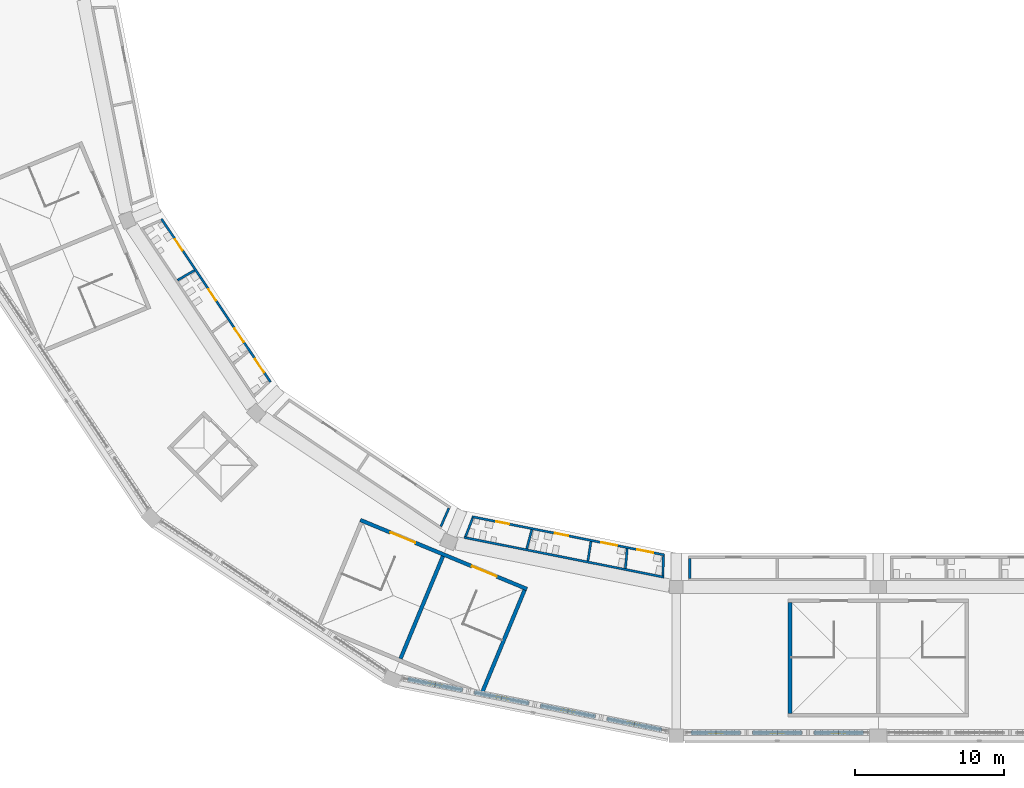
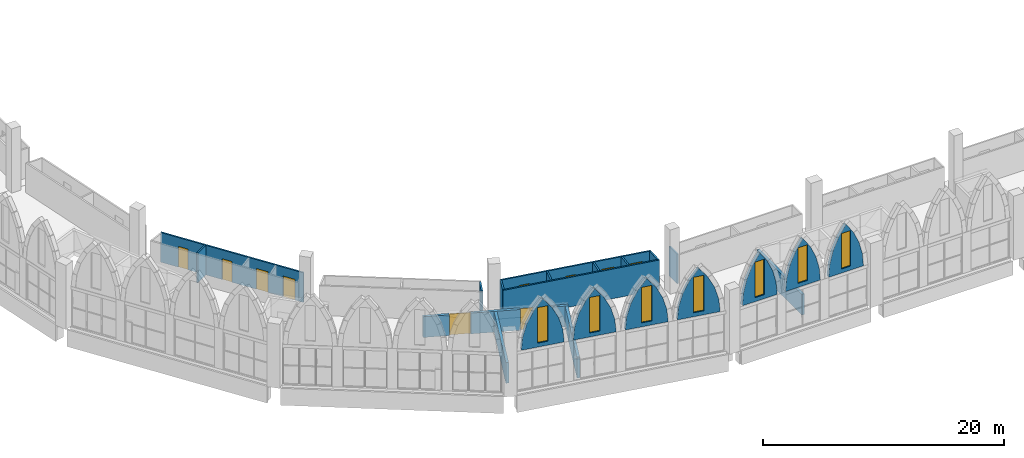
# One storey, part 64 of 130: 22 walls, 10 doors, 7 windows, 17 openings.
"""IFC4 building model written with IfcOpenShell, lengths in metres."""

from ifc_helpers import new_model, si_unit, direction, frame, frame_2d, origin, place, context, subcontext, project, spatial, polyline, rectangle, outline, extrude, material, layer, layer_set, type_object, element, fill, save


model = new_model("IFC4")

# Units and contexts
model_context = context("Model", 3, precision=1e-05, world=origin(), true_north=direction((0.0, 1.0)))
body_context = subcontext(model_context, "Body", "Model", "MODEL_VIEW")
ifc_project = project(units=[si_unit("LENGTHUNIT", "METRE"), si_unit("AREAUNIT", "SQUARE_METRE"), si_unit("VOLUMEUNIT", "CUBIC_METRE"), si_unit("PLANEANGLEUNIT", "RADIAN"), si_unit("MASSUNIT", "GRAM", prefix="KILO")], contexts=[model_context])

# Site, building, storey
site_placement = place(None, origin())
site = spatial("IfcSite", under=ifc_project, at=site_placement, CompositionType="ELEMENT")
building_placement = place(site_placement, origin())
building = spatial("IfcBuilding", under=site, at=building_placement, Name="Ogive Plaza Stadium", CompositionType="ELEMENT")
storey_placement = place(building_placement, frame((0.0, 0.0, 22.5)))
storey = spatial("IfcBuildingStorey", under=building, at=storey_placement, Name="L05", CompositionType="ELEMENT", Elevation=22.5)

# Walls
ifc_material_1 = material(Name="Masonry blockwork", Category="masonry")
ifc_layer_1 = layer(ifc_material_1, 0.14990234375)
ifc_layer_set_1 = layer_set([ifc_layer_1], Name="Blockwork wall 150")
wall_type_1 = type_object("IfcWallType", Name="Blockwork wall 150", PredefinedType="SOLIDWALL", material=ifc_layer_set_1)
wall_1_placement = place(storey_placement, frame((-33.10009765625, -90.574951171875, 0.0), z_axis=(0.0, 0.0, 1.0), x_axis=(0.0, -1.0, 0.0)))
element("IfcWall", 1, at=wall_1_placement, inside=storey, type_object=wall_type_1, Name="Wall L05 B16", PredefinedType="SOLIDWALL", context=body_context, shape_type="SweptSolid", body=[
    extrude(rectangle(XDim=1.35009765625, YDim=0.14990234375, at=frame_2d((0.675048828125, 0.0))), origin(), (0.0, 0.0, 1.0), 3.0),
])
wall_2_placement = place(storey_placement, frame((-49.305908203125, -87.185302734375, 0.0), z_axis=(0.0, 0.0, 1.0), x_axis=(-0.403693857048, -0.914894130368, 0.0)))
element("IfcWall", 2, at=wall_2_placement, inside=storey, type_object=wall_type_1, Name="Wall L05 B18", PredefinedType="SOLIDWALL", context=body_context, shape_type="SweptSolid", body=[
    extrude(rectangle(XDim=1.344482421875, YDim=0.14990234375, at=frame_2d((0.67236328125, 0.0))), origin(), (0.0, 0.0, 1.0), 3.0),
])
ifc_material_2 = material(Name="Concrete C40/50", Category="concrete")
ifc_layer_2 = layer(ifc_material_2, 0.25)
ifc_layer_set_2 = layer_set([ifc_layer_2], Name="Concrete C40/50")
wall_type_2 = type_object("IfcWallType", Name="Core wall 250", PredefinedType="SHEAR", material=ifc_layer_set_2)
wall_3_placement = place(storey_placement, frame((-26.35009765625, -93.550048828125, 0.0), z_axis=(0.0, 0.0, 1.0), x_axis=(0.0, -1.0, 0.0)))
element("IfcWall", 3, at=wall_3_placement, inside=storey, type_object=wall_type_2, Name="Stair core R16 side wall", PredefinedType="SHEAR", context=body_context, shape_type="SweptSolid", body=[
    extrude(rectangle(XDim=7.4599609375, YDim=0.25, at=frame_2d((3.72998046875, 0.0))), origin(), (0.0, 0.0, 1.0), 2.10009765625),
])

# Wall, openings, doors
wall_4_placement = place(storey_placement, frame((-55.27392578125, -87.98486328125, 0.0), z_axis=(0.0, 0.0, 1.0), x_axis=(0.923877480578, -0.382688386133, 0.0)))
wall_4 = element("IfcWall", 4, at=wall_4_placement, inside=storey, type_object=wall_type_2, Name="Stair core R18 inner wall", PredefinedType="SHEAR", context=body_context, shape_type="SweptSolid", body=[
    extrude(rectangle(XDim=12.14990234375, YDim=0.25, at=frame_2d((6.074951171875, 0.0))), origin(), (0.0, 0.0, 1.0), 2.10009765625),
])
opening_1_placement = place(wall_4_placement, frame((2.199951171875, 0.0, 0.0)))
opening_1 = element("IfcOpeningElement", 5, at=opening_1_placement, cuts=wall_4, Name="Opening D0155", PredefinedType="OPENING", context=body_context, shape_type="SweptSolid", body=[
    extrude(rectangle(XDim=1.800048828125, YDim=2.10009765625, at=frame_2d((0.89990234375, 1.050048828125))), frame((0.0, 0.125, 0.0), z_axis=(0.0, -1.0, 0.0), x_axis=(1.0, 0.0, 0.0)), (0.0, 0.0, 1.0), 0.25),
])
opening_2_placement = place(wall_4_placement, frame((8.14990234375, 0.0, 0.0)))
opening_2 = element("IfcOpeningElement", 6, at=opening_2_placement, cuts=wall_4, Name="Opening D0156", PredefinedType="OPENING", context=body_context, shape_type="SweptSolid", body=[
    extrude(rectangle(XDim=1.800048828125, YDim=2.10009765625, at=frame_2d((0.89990234375, 1.050048828125))), frame((0.0, 0.125, 0.0), z_axis=(0.0, -1.0, 0.0), x_axis=(1.0, 0.0, 0.0)), (0.0, 0.0, 1.0), 0.25),
])
ifc_material_3 = material(Name="Steel ASTM A572 Grade 50", Category="steel")
door_type_1 = type_object("IfcDoorType", Name="Fire door FD90 pair 1800 x 2100", OperationType="DOUBLE_DOOR_SINGLE_SWING", PredefinedType="DOOR", material=ifc_material_3)
door_1_placement = place(opening_1_placement, origin())
door_1 = element("IfcDoor", 7, at=door_1_placement, inside=storey, type_object=door_type_1, Name="Exit stair R18A door L05", OperationType="DOUBLE_DOOR_SINGLE_SWING", OverallHeight=2.10009765625, OverallWidth=1.800048828125, PredefinedType="DOOR", context=body_context, shape_type="SweptSolid", body=[
    extrude(rectangle(XDim=1.800048828125, YDim=2.10009765625, at=frame_2d((0.89990234375, 1.050048828125))), frame((0.0, 0.02490234375, 0.0), z_axis=(0.0, -1.0, 0.0), x_axis=(1.0, 0.0, 0.0)), (0.0, 0.0, 1.0), 0.050048828125),
])
fill(opening_1, door_1)
door_2_placement = place(opening_2_placement, origin())
door_2 = element("IfcDoor", 8, at=door_2_placement, inside=storey, type_object=door_type_1, Name="Exit stair R18B door L05", OperationType="DOUBLE_DOOR_SINGLE_SWING", OverallHeight=2.10009765625, OverallWidth=1.800048828125, PredefinedType="DOOR", context=body_context, shape_type="SweptSolid", body=[
    extrude(rectangle(XDim=1.800048828125, YDim=2.10009765625, at=frame_2d((0.89990234375, 1.050048828125))), frame((0.0, 0.02490234375, 0.0), z_axis=(0.0, -1.0, 0.0), x_axis=(1.0, 0.0, 0.0)), (0.0, 0.0, 1.0), 0.050048828125),
])
fill(opening_2, door_2)

# Walls
wall_5_placement = place(storey_placement, frame((-44.212158203125, -92.7021484375, 0.0), z_axis=(0.0, 0.0, 1.0), x_axis=(-0.382664910245, -0.923887204407, 0.0)))
element("IfcWall", 9, at=wall_5_placement, inside=storey, type_object=wall_type_2, Name="Stair core R18 side wall", PredefinedType="SHEAR", context=body_context, shape_type="SweptSolid", body=[
    extrude(rectangle(XDim=7.460205078125, YDim=0.25, at=frame_2d((3.72998046875, 0.0))), origin(), (0.0, 0.0, 1.0), 2.10009765625),
])
wall_6_placement = place(storey_placement, frame((-49.709228515625, -90.42529296875, 0.0), z_axis=(0.0, 0.0, 1.0), x_axis=(-0.382676480483, -0.923882412044, 0.0)))
element("IfcWall", 10, at=wall_6_placement, inside=storey, type_object=wall_type_2, Name="Stair core R18 centre wall", PredefinedType="SHEAR", context=body_context, shape_type="SweptSolid", body=[
    extrude(rectangle(XDim=7.4599609375, YDim=0.25, at=frame_2d((3.72998046875, 0.0))), origin(), (0.0, 0.0, 1.0), 2.10009765625),
])

# Wall, openings, doors
ifc_material_4 = material(Name="Gypsum board partition", Category="gypsum")
ifc_layer_3 = layer(ifc_material_4, 0.14990234375)
ifc_layer_set_3 = layer_set([ifc_layer_3], Name="Partition 150")
wall_type_3 = type_object("IfcWallType", Name="Partition 150", PredefinedType="PARTITIONING", material=ifc_layer_set_3)
wall_7_placement = place(storey_placement, frame((-47.74853515625, -87.76513671875, 0.0), z_axis=(0.0, 0.0, 1.0), x_axis=(0.980782047358, -0.195106574927, 0.0)))
wall_7 = element("IfcWall", 11, at=wall_7_placement, inside=storey, type_object=wall_type_3, Name="Wall L05 B17", PredefinedType="PARTITIONING", context=body_context, shape_type="SweptSolid", body=[
    extrude(rectangle(XDim=13.208984375, YDim=0.14990234375, at=frame_2d((6.6044921875, 0.0))), origin(), (0.0, 0.0, 1.0), 3.0),
])
opening_3_placement = place(wall_7_placement, frame((1.648193359375, 0.0, 0.0)))
opening_3 = element("IfcOpeningElement", 12, at=opening_3_placement, cuts=wall_7, Name="Opening D0965", PredefinedType="OPENING", context=body_context, shape_type="SweptSolid", body=[
    extrude(rectangle(XDim=0.89990234375, YDim=2.10009765625, at=frame_2d((0.449951171875, 1.050048828125))), frame((0.0, 0.074951171875, 0.0), z_axis=(0.0, -1.0, 0.0), x_axis=(1.0, 0.0, 0.0)), (0.0, 0.0, 1.0), 0.14990234375),
])
opening_4_placement = place(wall_7_placement, frame((5.697265625, 0.0, 0.0)))
opening_4 = element("IfcOpeningElement", 13, at=opening_4_placement, cuts=wall_7, Name="Opening D0966", PredefinedType="OPENING", context=body_context, shape_type="SweptSolid", body=[
    extrude(rectangle(XDim=0.89990234375, YDim=2.10009765625, at=frame_2d((0.449951171875, 1.050048828125))), frame((0.0, 0.074951171875, 0.0), z_axis=(0.0, -1.0, 0.0), x_axis=(1.0, 0.0, 0.0)), (0.0, 0.0, 1.0), 0.14990234375),
])
opening_5_placement = place(wall_7_placement, frame((8.862548828125, 0.0, 0.0)))
opening_5 = element("IfcOpeningElement", 14, at=opening_5_placement, cuts=wall_7, Name="Opening D0967", PredefinedType="OPENING", context=body_context, shape_type="SweptSolid", body=[
    extrude(rectangle(XDim=1.10009765625, YDim=2.10009765625, at=frame_2d((0.550048828125, 1.050048828125))), frame((0.0, 0.074951171875, 0.0), z_axis=(0.0, -1.0, 0.0), x_axis=(1.0, 0.0, 0.0)), (0.0, 0.0, 1.0), 0.14990234375),
])
opening_6_placement = place(wall_7_placement, frame((11.344482421875, 0.0, 0.0)))
opening_6 = element("IfcOpeningElement", 15, at=opening_6_placement, cuts=wall_7, Name="Opening D0968", PredefinedType="OPENING", context=body_context, shape_type="SweptSolid", body=[
    extrude(rectangle(XDim=1.10009765625, YDim=2.10009765625, at=frame_2d((0.550048828125, 1.050048828125))), frame((0.0, 0.074951171875, 0.0), z_axis=(0.0, -1.0, 0.0), x_axis=(1.0, 0.0, 0.0)), (0.0, 0.0, 1.0), 0.14990234375),
])
ifc_material_5 = material(Name="Steel ASTM A572 Grade 50", Category="steel")
door_type_2 = type_object("IfcDoorType", Name="Accessible door 1100 x 2100", OperationType="SINGLE_SWING_LEFT", PredefinedType="DOOR", material=ifc_material_5)
door_3_placement = place(opening_5_placement, origin())
door_3 = element("IfcDoor", 16, at=door_3_placement, inside=storey, type_object=door_type_2, Name="Accessible WC B17 door", OperationType="SINGLE_SWING_LEFT", OverallHeight=2.10009765625, OverallWidth=1.10009765625, PredefinedType="DOOR", context=body_context, shape_type="SweptSolid", body=[
    extrude(rectangle(XDim=1.10009765625, YDim=2.10009765625, at=frame_2d((0.550048828125, 1.050048828125))), frame((0.0, 0.02490234375, 0.0), z_axis=(0.0, -1.0, 0.0), x_axis=(1.0, 0.0, 0.0)), (0.0, 0.0, 1.0), 0.050048828125),
])
fill(opening_5, door_3)
door_4_placement = place(opening_6_placement, origin())
door_4 = element("IfcDoor", 17, at=door_4_placement, inside=storey, type_object=door_type_2, Name="Family WC B17 door", OperationType="SINGLE_SWING_LEFT", OverallHeight=2.10009765625, OverallWidth=1.10009765625, PredefinedType="DOOR", context=body_context, shape_type="SweptSolid", body=[
    extrude(rectangle(XDim=1.10009765625, YDim=2.10009765625, at=frame_2d((0.550048828125, 1.050048828125))), frame((0.0, 0.02490234375, 0.0), z_axis=(0.0, -1.0, 0.0), x_axis=(1.0, 0.0, 0.0)), (0.0, 0.0, 1.0), 0.050048828125),
])
fill(opening_6, door_4)
ifc_material_6 = material(Name="Steel ASTM A572 Grade 50", Category="steel")
door_type_3 = type_object("IfcDoorType", Name="Door 900 x 2100", OperationType="SINGLE_SWING_LEFT", PredefinedType="DOOR", material=ifc_material_6)
door_5_placement = place(opening_3_placement, origin())
door_5 = element("IfcDoor", 18, at=door_5_placement, inside=storey, type_object=door_type_3, Name="Men's Toilet B17 door", OperationType="SINGLE_SWING_RIGHT", OverallHeight=2.10009765625, OverallWidth=0.89990234375, PredefinedType="DOOR", context=body_context, shape_type="SweptSolid", body=[
    extrude(rectangle(XDim=0.89990234375, YDim=2.10009765625, at=frame_2d((0.449951171875, 1.050048828125))), frame((0.0, 0.02490234375, 0.0), z_axis=(0.0, -1.0, 0.0), x_axis=(1.0, 0.0, 0.0)), (0.0, 0.0, 1.0), 0.050048828125),
])
fill(opening_3, door_5)
door_6_placement = place(opening_4_placement, origin())
door_6 = element("IfcDoor", 19, at=door_6_placement, inside=storey, type_object=door_type_3, Name="Women's Toilet B17 door", OperationType="SINGLE_SWING_LEFT", OverallHeight=2.10009765625, OverallWidth=0.89990234375, PredefinedType="DOOR", context=body_context, shape_type="SweptSolid", body=[
    extrude(rectangle(XDim=0.89990234375, YDim=2.10009765625, at=frame_2d((0.449951171875, 1.050048828125))), frame((0.0, 0.02490234375, 0.0), z_axis=(0.0, -1.0, 0.0), x_axis=(1.0, 0.0, 0.0)), (0.0, 0.0, 1.0), 0.050048828125),
])
fill(opening_4, door_6)

# Walls
wall_8_placement = place(storey_placement, frame((-48.291259765625, -89.1572265625, 0.0), z_axis=(0.0, 0.0, 1.0), x_axis=(0.980784624689, -0.195093618486, 0.0)))
element("IfcWall", 20, at=wall_8_placement, inside=storey, type_object=wall_type_3, Name="Wall L05 B17", PredefinedType="PARTITIONING", context=body_context, shape_type="SweptSolid", body=[
    extrude(rectangle(XDim=13.73046875, YDim=0.14990234375, at=frame_2d((6.865234375, 0.0))), origin(), (0.0, 0.0, 1.0), 3.0),
])
wall_9_placement = place(storey_placement, frame((-47.703369140625, -87.84912109375, 0.0), z_axis=(0.0, 0.0, 1.0), x_axis=(-0.36141186071, -0.932406277831, 0.0)))
element("IfcWall", 21, at=wall_9_placement, inside=storey, type_object=wall_type_3, Name="Wall L05 B17", PredefinedType="PARTITIONING", context=body_context, shape_type="SweptSolid", body=[
    extrude(rectangle(XDim=1.34423828125, YDim=0.14990234375, at=frame_2d((0.672119140625, 0.0))), origin(), (0.0, 0.0, 1.0), 3.0),
])
wall_10_placement = place(storey_placement, frame((-43.72412109375, -88.640625, 0.0), z_axis=(0.0, 0.0, 1.0), x_axis=(-0.259768941127, -0.965670801684, 0.0)))
element("IfcWall", 22, at=wall_10_placement, inside=storey, type_object=wall_type_3, Name="Wall L05 B17", PredefinedType="PARTITIONING", context=body_context, shape_type="SweptSolid", body=[
    extrude(rectangle(XDim=1.3271484375, YDim=0.14990234375, at=frame_2d((0.66357421875, 0.0))), origin(), (0.0, 0.0, 1.0), 3.0),
])
wall_11_placement = place(storey_placement, frame((-39.7451171875, -89.43212890625, 0.0), z_axis=(0.0, 0.0, 1.0), x_axis=(-0.153635060885, -0.988127657779, 0.0)))
element("IfcWall", 23, at=wall_11_placement, inside=storey, type_object=wall_type_3, Name="Wall L05 B17", PredefinedType="PARTITIONING", context=body_context, shape_type="SweptSolid", body=[
    extrude(rectangle(XDim=1.3251953125, YDim=0.14990234375, at=frame_2d((0.66259765625, 0.0))), origin(), (0.0, 0.0, 1.0), 3.0),
])
wall_12_placement = place(storey_placement, frame((-37.30615234375, -89.91748046875, 0.0), z_axis=(0.0, 0.0, 1.0), x_axis=(-0.087990108073, -0.996121348472, 0.0)))
element("IfcWall", 24, at=wall_12_placement, inside=storey, type_object=wall_type_3, Name="Wall L05 B17", PredefinedType="PARTITIONING", context=body_context, shape_type="SweptSolid", body=[
    extrude(rectangle(XDim=1.331787109375, YDim=0.14990234375, at=frame_2d((0.666015625, 0.0))), origin(), (0.0, 0.0, 1.0), 3.0),
])
wall_13_placement = place(storey_placement, frame((-34.867431640625, -90.402587890625, 0.0), z_axis=(0.0, 0.0, 1.0), x_axis=(-0.022886445666, -0.999738070999, 0.0)))
element("IfcWall", 25, at=wall_13_placement, inside=storey, type_object=wall_type_3, Name="Wall L05 B17", PredefinedType="PARTITIONING", context=body_context, shape_type="SweptSolid", body=[
    extrude(rectangle(XDim=1.343994140625, YDim=0.14990234375, at=frame_2d((0.671875, 0.0))), origin(), (0.0, 0.0, 1.0), 3.0),
])

# Wall, openings, doors
wall_14_placement = place(storey_placement, frame((-68.657958984375, -67.714599609375, 0.0), z_axis=(0.0, 0.0, 1.0), x_axis=(0.555570028225, -0.831469749142, 0.0)))
wall_14 = element("IfcWall", 26, at=wall_14_placement, inside=storey, type_object=wall_type_3, Name="Wall L05 B19", PredefinedType="PARTITIONING", context=body_context, shape_type="SweptSolid", body=[
    extrude(rectangle(XDim=13.208740234375, YDim=0.14990234375, at=frame_2d((6.6044921875, 0.0))), origin(), (0.0, 0.0, 1.0), 3.0),
])
opening_7_placement = place(wall_14_placement, frame((1.648193359375, 0.0, 0.0)))
opening_7 = element("IfcOpeningElement", 27, at=opening_7_placement, cuts=wall_14, Name="Opening D0971", PredefinedType="OPENING", context=body_context, shape_type="SweptSolid", body=[
    extrude(rectangle(XDim=0.89990234375, YDim=2.10009765625, at=frame_2d((0.449951171875, 1.050048828125))), frame((0.0, 0.074951171875, 0.0), z_axis=(0.0, -1.0, 0.0), x_axis=(1.0, 0.0, 0.0)), (0.0, 0.0, 1.0), 0.14990234375),
])
opening_8_placement = place(wall_14_placement, frame((5.697265625, 0.0, 0.0)))
opening_8 = element("IfcOpeningElement", 28, at=opening_8_placement, cuts=wall_14, Name="Opening D0972", PredefinedType="OPENING", context=body_context, shape_type="SweptSolid", body=[
    extrude(rectangle(XDim=0.89990234375, YDim=2.10009765625, at=frame_2d((0.449951171875, 1.050048828125))), frame((0.0, 0.074951171875, 0.0), z_axis=(0.0, -1.0, 0.0), x_axis=(1.0, 0.0, 0.0)), (0.0, 0.0, 1.0), 0.14990234375),
])
opening_9_placement = place(wall_14_placement, frame((8.862548828125, 0.0, 0.0)))
opening_9 = element("IfcOpeningElement", 29, at=opening_9_placement, cuts=wall_14, Name="Opening D0973", PredefinedType="OPENING", context=body_context, shape_type="SweptSolid", body=[
    extrude(rectangle(XDim=1.10009765625, YDim=2.10009765625, at=frame_2d((0.550048828125, 1.050048828125))), frame((0.0, 0.074951171875, 0.0), z_axis=(0.0, -1.0, 0.0), x_axis=(1.0, 0.0, 0.0)), (0.0, 0.0, 1.0), 0.14990234375),
])
opening_10_placement = place(wall_14_placement, frame((11.344482421875, 0.0, 0.0)))
opening_10 = element("IfcOpeningElement", 30, at=opening_10_placement, cuts=wall_14, Name="Opening D0974", PredefinedType="OPENING", context=body_context, shape_type="SweptSolid", body=[
    extrude(rectangle(XDim=1.10009765625, YDim=2.10009765625, at=frame_2d((0.550048828125, 1.050048828125))), frame((0.0, 0.074951171875, 0.0), z_axis=(0.0, -1.0, 0.0), x_axis=(1.0, 0.0, 0.0)), (0.0, 0.0, 1.0), 0.14990234375),
])
door_7_placement = place(opening_9_placement, origin())
door_7 = element("IfcDoor", 31, at=door_7_placement, inside=storey, type_object=door_type_2, Name="Accessible WC B19 door", OperationType="SINGLE_SWING_LEFT", OverallHeight=2.10009765625, OverallWidth=1.10009765625, PredefinedType="DOOR", context=body_context, shape_type="SweptSolid", body=[
    extrude(rectangle(XDim=1.10009765625, YDim=2.10009765625, at=frame_2d((0.550048828125, 1.050048828125))), frame((0.0, 0.02490234375, 0.0), z_axis=(0.0, -1.0, 0.0), x_axis=(1.0, 0.0, 0.0)), (0.0, 0.0, 1.0), 0.050048828125),
])
fill(opening_9, door_7)
door_8_placement = place(opening_10_placement, origin())
door_8 = element("IfcDoor", 32, at=door_8_placement, inside=storey, type_object=door_type_2, Name="Family WC B19 door", OperationType="SINGLE_SWING_LEFT", OverallHeight=2.10009765625, OverallWidth=1.10009765625, PredefinedType="DOOR", context=body_context, shape_type="SweptSolid", body=[
    extrude(rectangle(XDim=1.10009765625, YDim=2.10009765625, at=frame_2d((0.550048828125, 1.050048828125))), frame((0.0, 0.02490234375, 0.0), z_axis=(0.0, -1.0, 0.0), x_axis=(1.0, 0.0, 0.0)), (0.0, 0.0, 1.0), 0.050048828125),
])
fill(opening_10, door_8)
door_9_placement = place(opening_7_placement, origin())
door_9 = element("IfcDoor", 33, at=door_9_placement, inside=storey, type_object=door_type_3, Name="Men's Toilet B19 door", OperationType="SINGLE_SWING_RIGHT", OverallHeight=2.10009765625, OverallWidth=0.89990234375, PredefinedType="DOOR", context=body_context, shape_type="SweptSolid", body=[
    extrude(rectangle(XDim=0.89990234375, YDim=2.10009765625, at=frame_2d((0.449951171875, 1.050048828125))), frame((0.0, 0.02490234375, 0.0), z_axis=(0.0, -1.0, 0.0), x_axis=(1.0, 0.0, 0.0)), (0.0, 0.0, 1.0), 0.050048828125),
])
fill(opening_7, door_9)
door_10_placement = place(opening_8_placement, origin())
door_10 = element("IfcDoor", 34, at=door_10_placement, inside=storey, type_object=door_type_3, Name="Women's Toilet B19 door", OperationType="SINGLE_SWING_LEFT", OverallHeight=2.10009765625, OverallWidth=0.89990234375, PredefinedType="DOOR", context=body_context, shape_type="SweptSolid", body=[
    extrude(rectangle(XDim=0.89990234375, YDim=2.10009765625, at=frame_2d((0.449951171875, 1.050048828125))), frame((0.0, 0.02490234375, 0.0), z_axis=(0.0, -1.0, 0.0), x_axis=(1.0, 0.0, 0.0)), (0.0, 0.0, 1.0), 0.050048828125),
])
fill(opening_8, door_10)

# Wall
wall_15_placement = place(storey_placement, frame((-66.431396484375, -71.179443359375, 0.0), z_axis=(0.0, 0.0, 1.0), x_axis=(-0.866607990837, -0.498989569246, 0.0)))
element("IfcWall", 35, at=wall_15_placement, inside=storey, type_object=wall_type_3, Name="Wall L05 B19", PredefinedType="PARTITIONING", context=body_context, shape_type="SweptSolid", body=[
    extrude(rectangle(XDim=1.326904296875, YDim=0.14990234375, at=frame_2d((0.66357421875, 0.0))), origin(), (0.0, 0.0, 1.0), 3.0),
])

# Wall, opening, window
ifc_material_7 = material(Name="Concrete C45/55 precast", Category="concrete")
ifc_layer_4 = layer(ifc_material_7, 0.25)
ifc_material_8 = material(Name="Cast stone (reconstituted limestone)", Category="masonry")
ifc_layer_5 = layer(ifc_material_8, 0.050048828125)
ifc_layer_set_4 = layer_set([ifc_layer_4, ifc_layer_5], Name="Concrete C45/55 precast, cast stone facing")
wall_type_4 = type_object("IfcWallType", Name="Tympanum wall 300", PredefinedType="SOLIDWALL", material=ifc_layer_set_4)
wall_16_placement = place(storey_placement, frame((-21.39990234375, -102.300048828125, 4.10009765625), z_axis=(0.0, 0.0, 1.0), x_axis=(-1.0, 0.0, 0.0)))
wall_16 = element("IfcWall", 36, at=wall_16_placement, inside=storey, type_object=wall_type_4, Name="TYMPANUM B16 1", PredefinedType="SOLIDWALL", context=body_context, shape_type="SweptSolid", body=[
    extrude(outline(polyline([(0.0, 0.0), (3.33349609375, 0.0), (3.333251953125, 0.0498046875), (3.225341796875, 1.2880859375), (2.90478515625, 2.54052734375), (2.38037109375, 3.721923828125), (1.666748046875, 4.7998046875), (0.952880859375, 3.721923828125), (0.428466796875, 2.54052734375), (0.10791015625, 1.2880859375), (0.0, 0.0498046875), (0.0, 0.0)])), frame((0.0, 0.14990234375, 0.0), z_axis=(0.0, -1.0, 0.0), x_axis=(1.0, 0.0, 0.0)), (0.0, 0.0, 1.0), 0.300048828125),
])
opening_11_placement = place(wall_16_placement, frame((1.216552734375, 0.0, 0.39990234375)))
opening_11 = element("IfcOpeningElement", 37, at=opening_11_placement, cuts=wall_16, Name="Opening W-16-1", PredefinedType="OPENING", context=body_context, shape_type="SweptSolid", body=[
    extrude(rectangle(XDim=0.89990234375, YDim=3.60009765625, at=frame_2d((0.449951171875, 1.800048828125))), frame((0.0, 0.16015625, 0.0), z_axis=(0.0, -1.0, 0.0), x_axis=(1.0, 0.0, 0.0)), (0.0, 0.0, 1.0), 0.320068359375),
])
ifc_material_9 = material(Name="Bronze-anodised aluminium and laminated glass", Category="aluminium")
window_type = type_object("IfcWindowType", Name="Lancet window 900 x 3600", PartitioningType="SINGLE_PANEL", PredefinedType="WINDOW", material=ifc_material_9)
window_1_placement = place(opening_11_placement, origin())
window_1 = element("IfcWindow", 38, at=window_1_placement, inside=storey, type_object=window_type, Name="LANCET WINDOW B16 1", OverallHeight=3.60009765625, OverallWidth=0.89990234375, PartitioningType="SINGLE_PANEL", PredefinedType="WINDOW", context=body_context, shape_type="SweptSolid", body=[
    extrude(rectangle(XDim=0.89990234375, YDim=3.60009765625, at=frame_2d((0.449951171875, 1.800048828125))), frame((0.0, 0.030029296875, 0.0), z_axis=(0.0, -1.0, 0.0), x_axis=(1.0, 0.0, 0.0)), (0.0, 0.0, 1.0), 0.06005859375),
])
fill(opening_11, window_1)

wall_17_placement = place(storey_placement, frame((-25.533447265625, -102.300048828125, 4.10009765625), z_axis=(0.0, 0.0, 1.0), x_axis=(-1.0, 0.0, 0.0)))
wall_17 = element("IfcWall", 39, at=wall_17_placement, inside=storey, type_object=wall_type_4, Name="TYMPANUM B16 2", PredefinedType="SOLIDWALL", context=body_context, shape_type="SweptSolid", body=[
    extrude(outline(polyline([(0.0, 0.0), (3.333251953125, 0.0), (3.333251953125, 0.0498046875), (3.225341796875, 1.2880859375), (2.90478515625, 2.54052734375), (2.38037109375, 3.721923828125), (1.666748046875, 4.7998046875), (0.952880859375, 3.721923828125), (0.428466796875, 2.54052734375), (0.10791015625, 1.2880859375), (0.0, 0.0498046875), (0.0, 0.0)])), frame((0.0, 0.14990234375, 0.0), z_axis=(0.0, -1.0, 0.0), x_axis=(1.0, 0.0, 0.0)), (0.0, 0.0, 1.0), 0.300048828125),
])
opening_12_placement = place(wall_17_placement, frame((1.216552734375, 0.0, 0.39990234375)))
opening_12 = element("IfcOpeningElement", 40, at=opening_12_placement, cuts=wall_17, Name="Opening W-16-2", PredefinedType="OPENING", context=body_context, shape_type="SweptSolid", body=[
    extrude(rectangle(XDim=0.89990234375, YDim=3.60009765625, at=frame_2d((0.449951171875, 1.800048828125))), frame((0.0, 0.16015625, 0.0), z_axis=(0.0, -1.0, 0.0), x_axis=(1.0, 0.0, 0.0)), (0.0, 0.0, 1.0), 0.320068359375),
])
window_2_placement = place(opening_12_placement, origin())
window_2 = element("IfcWindow", 41, at=window_2_placement, inside=storey, type_object=window_type, Name="LANCET WINDOW B16 2", OverallHeight=3.60009765625, OverallWidth=0.89990234375, PartitioningType="SINGLE_PANEL", PredefinedType="WINDOW", context=body_context, shape_type="SweptSolid", body=[
    extrude(rectangle(XDim=0.89990234375, YDim=3.60009765625, at=frame_2d((0.449951171875, 1.800048828125))), frame((0.0, 0.030029296875, 0.0), z_axis=(0.0, -1.0, 0.0), x_axis=(1.0, 0.0, 0.0)), (0.0, 0.0, 1.0), 0.06005859375),
])
fill(opening_12, window_2)

wall_18_placement = place(storey_placement, frame((-29.666748046875, -102.300048828125, 4.10009765625), z_axis=(0.0, 0.0, 1.0), x_axis=(-1.0, 0.0, 0.0)))
wall_18 = element("IfcWall", 42, at=wall_18_placement, inside=storey, type_object=wall_type_4, Name="TYMPANUM B16 3", PredefinedType="SOLIDWALL", context=body_context, shape_type="SweptSolid", body=[
    extrude(outline(polyline([(0.0, 0.0), (3.333251953125, 0.0), (3.333251953125, 0.0498046875), (3.225341796875, 1.2880859375), (2.90478515625, 2.54052734375), (2.38037109375, 3.721923828125), (1.666748046875, 4.7998046875), (0.952880859375, 3.721923828125), (0.428466796875, 2.54052734375), (0.10791015625, 1.2880859375), (0.0, 0.0498046875), (0.0, 0.0)])), frame((0.0, 0.14990234375, 0.0), z_axis=(0.0, -1.0, 0.0), x_axis=(1.0, 0.0, 0.0)), (0.0, 0.0, 1.0), 0.300048828125),
])
opening_13_placement = place(wall_18_placement, frame((1.216552734375, 0.0, 0.39990234375)))
opening_13 = element("IfcOpeningElement", 43, at=opening_13_placement, cuts=wall_18, Name="Opening W-16-3", PredefinedType="OPENING", context=body_context, shape_type="SweptSolid", body=[
    extrude(rectangle(XDim=0.89990234375, YDim=3.60009765625, at=frame_2d((0.449951171875, 1.800048828125))), frame((0.0, 0.16015625, 0.0), z_axis=(0.0, -1.0, 0.0), x_axis=(1.0, 0.0, 0.0)), (0.0, 0.0, 1.0), 0.320068359375),
])
window_3_placement = place(opening_13_placement, origin())
window_3 = element("IfcWindow", 44, at=window_3_placement, inside=storey, type_object=window_type, Name="LANCET WINDOW B16 3", OverallHeight=3.60009765625, OverallWidth=0.89990234375, PartitioningType="SINGLE_PANEL", PredefinedType="WINDOW", context=body_context, shape_type="SweptSolid", body=[
    extrude(rectangle(XDim=0.89990234375, YDim=3.60009765625, at=frame_2d((0.449951171875, 1.800048828125))), frame((0.0, 0.030029296875, 0.0), z_axis=(0.0, -1.0, 0.0), x_axis=(1.0, 0.0, 0.0)), (0.0, 0.0, 1.0), 0.06005859375),
])
fill(opening_13, window_3)

wall_19_placement = place(storey_placement, frame((-34.9814453125, -102.100830078125, 4.10009765625), z_axis=(0.0, 0.0, 1.0), x_axis=(-0.980787572669, 0.195078797665, 0.0)))
wall_19 = element("IfcWall", 45, at=wall_19_placement, inside=storey, type_object=wall_type_4, Name="TYMPANUM B17 1", PredefinedType="SOLIDWALL", context=body_context, shape_type="SweptSolid", body=[
    extrude(outline(polyline([(0.0, 0.0), (3.757080078125, 0.0), (3.757080078125, 0.0498046875), (3.634521484375, 1.311279296875), (3.270751953125, 2.5771484375), (2.678466796875, 3.753662109375), (1.878662109375, 4.7998046875), (1.07861328125, 3.753662109375), (0.486328125, 2.5771484375), (0.12255859375, 1.311279296875), (0.0, 0.0498046875), (0.0, 0.0)])), frame((0.0, 0.14990234375, 0.0), z_axis=(0.0, -1.0, 0.0), x_axis=(1.0, 0.0, 0.0)), (0.0, 0.0, 1.0), 0.300048828125),
])
opening_14_placement = place(wall_19_placement, frame((1.428466796875, 0.0, 0.39990234375)))
opening_14 = element("IfcOpeningElement", 46, at=opening_14_placement, cuts=wall_19, Name="Opening W-17-1", PredefinedType="OPENING", context=body_context, shape_type="SweptSolid", body=[
    extrude(rectangle(XDim=0.89990234375, YDim=3.60009765625, at=frame_2d((0.449951171875, 1.800048828125))), frame((0.0, 0.16015625, 0.0), z_axis=(0.0, -1.0, 0.0), x_axis=(1.0, 0.0, 0.0)), (0.0, 0.0, 1.0), 0.320068359375),
])
window_4_placement = place(opening_14_placement, origin())
window_4 = element("IfcWindow", 47, at=window_4_placement, inside=storey, type_object=window_type, Name="LANCET WINDOW B17 1", OverallHeight=3.60009765625, OverallWidth=0.89990234375, PartitioningType="SINGLE_PANEL", PredefinedType="WINDOW", context=body_context, shape_type="SweptSolid", body=[
    extrude(rectangle(XDim=0.89990234375, YDim=3.60009765625, at=frame_2d((0.449951171875, 1.800048828125))), frame((0.0, 0.030029296875, 0.0), z_axis=(0.0, -1.0, 0.0), x_axis=(1.0, 0.0, 0.0)), (0.0, 0.0, 1.0), 0.06005859375),
])
fill(opening_14, window_4)

wall_20_placement = place(storey_placement, frame((-39.450927734375, -101.2119140625, 4.10009765625), z_axis=(0.0, 0.0, 1.0), x_axis=(-0.980775137592, 0.195141306446, 0.0)))
wall_20 = element("IfcWall", 48, at=wall_20_placement, inside=storey, type_object=wall_type_4, Name="TYMPANUM B17 2", PredefinedType="SOLIDWALL", context=body_context, shape_type="SweptSolid", body=[
    extrude(outline(polyline([(0.0, 0.0), (3.757080078125, 0.0), (3.757080078125, 0.0498046875), (3.634521484375, 1.311279296875), (3.270751953125, 2.5771484375), (2.678466796875, 3.753662109375), (1.878662109375, 4.7998046875), (1.07861328125, 3.753662109375), (0.486328125, 2.5771484375), (0.12255859375, 1.311279296875), (0.0, 0.0498046875), (0.0, 0.0)])), frame((0.0, 0.14990234375, 0.0), z_axis=(0.0, -1.0, 0.0), x_axis=(1.0, 0.0, 0.0)), (0.0, 0.0, 1.0), 0.300048828125),
])
opening_15_placement = place(wall_20_placement, frame((1.428466796875, 0.0, 0.39990234375)))
opening_15 = element("IfcOpeningElement", 49, at=opening_15_placement, cuts=wall_20, Name="Opening W-17-2", PredefinedType="OPENING", context=body_context, shape_type="SweptSolid", body=[
    extrude(rectangle(XDim=0.89990234375, YDim=3.60009765625, at=frame_2d((0.449951171875, 1.800048828125))), frame((0.0, 0.16015625, 0.0), z_axis=(0.0, -1.0, 0.0), x_axis=(1.0, 0.0, 0.0)), (0.0, 0.0, 1.0), 0.320068359375),
])
window_5_placement = place(opening_15_placement, origin())
window_5 = element("IfcWindow", 50, at=window_5_placement, inside=storey, type_object=window_type, Name="LANCET WINDOW B17 2", OverallHeight=3.60009765625, OverallWidth=0.89990234375, PartitioningType="SINGLE_PANEL", PredefinedType="WINDOW", context=body_context, shape_type="SweptSolid", body=[
    extrude(rectangle(XDim=0.89990234375, YDim=3.60009765625, at=frame_2d((0.449951171875, 1.800048828125))), frame((0.0, 0.030029296875, 0.0), z_axis=(0.0, -1.0, 0.0), x_axis=(1.0, 0.0, 0.0)), (0.0, 0.0, 1.0), 0.06005859375),
])
fill(opening_15, window_5)

wall_21_placement = place(storey_placement, frame((-43.92041015625, -100.32275390625, 4.10009765625), z_axis=(0.0, 0.0, 1.0), x_axis=(-0.980787572669, 0.195078797665, 0.0)))
wall_21 = element("IfcWall", 51, at=wall_21_placement, inside=storey, type_object=wall_type_4, Name="TYMPANUM B17 3", PredefinedType="SOLIDWALL", context=body_context, shape_type="SweptSolid", body=[
    extrude(outline(polyline([(0.0, 0.0), (3.757080078125, 0.0), (3.757080078125, 0.0498046875), (3.634521484375, 1.311279296875), (3.270751953125, 2.5771484375), (2.678466796875, 3.753662109375), (1.878662109375, 4.7998046875), (1.07861328125, 3.753662109375), (0.486328125, 2.5771484375), (0.12255859375, 1.311279296875), (0.0, 0.0498046875), (0.0, 0.0)])), frame((0.0, 0.14990234375, 0.0), z_axis=(0.0, -1.0, 0.0), x_axis=(1.0, 0.0, 0.0)), (0.0, 0.0, 1.0), 0.300048828125),
])
opening_16_placement = place(wall_21_placement, frame((1.428466796875, 0.0, 0.39990234375)))
opening_16 = element("IfcOpeningElement", 52, at=opening_16_placement, cuts=wall_21, Name="Opening W-17-3", PredefinedType="OPENING", context=body_context, shape_type="SweptSolid", body=[
    extrude(rectangle(XDim=0.89990234375, YDim=3.60009765625, at=frame_2d((0.449951171875, 1.800048828125))), frame((0.0, 0.16015625, 0.0), z_axis=(0.0, -1.0, 0.0), x_axis=(1.0, 0.0, 0.0)), (0.0, 0.0, 1.0), 0.320068359375),
])
window_6_placement = place(opening_16_placement, origin())
window_6 = element("IfcWindow", 53, at=window_6_placement, inside=storey, type_object=window_type, Name="LANCET WINDOW B17 3", OverallHeight=3.60009765625, OverallWidth=0.89990234375, PartitioningType="SINGLE_PANEL", PredefinedType="WINDOW", context=body_context, shape_type="SweptSolid", body=[
    extrude(rectangle(XDim=0.89990234375, YDim=3.60009765625, at=frame_2d((0.449951171875, 1.800048828125))), frame((0.0, 0.030029296875, 0.0), z_axis=(0.0, -1.0, 0.0), x_axis=(1.0, 0.0, 0.0)), (0.0, 0.0, 1.0), 0.06005859375),
])
fill(opening_16, window_6)

wall_22_placement = place(storey_placement, frame((-48.389892578125, -99.433837890625, 4.10009765625), z_axis=(0.0, 0.0, 1.0), x_axis=(-0.980775137592, 0.195141306446, 0.0)))
wall_22 = element("IfcWall", 54, at=wall_22_placement, inside=storey, type_object=wall_type_4, Name="TYMPANUM B17 4", PredefinedType="SOLIDWALL", context=body_context, shape_type="SweptSolid", body=[
    extrude(outline(polyline([(0.0, 0.0), (3.757080078125, 0.0), (3.757080078125, 0.0498046875), (3.634521484375, 1.311279296875), (3.270751953125, 2.5771484375), (2.678466796875, 3.753662109375), (1.878662109375, 4.7998046875), (1.07861328125, 3.753662109375), (0.486328125, 2.5771484375), (0.12255859375, 1.311279296875), (0.0, 0.0498046875), (0.0, 0.0)])), frame((0.0, 0.14990234375, 0.0), z_axis=(0.0, -1.0, 0.0), x_axis=(1.0, 0.0, 0.0)), (0.0, 0.0, 1.0), 0.300048828125),
])
opening_17_placement = place(wall_22_placement, frame((1.428466796875, 0.0, 0.39990234375)))
opening_17 = element("IfcOpeningElement", 55, at=opening_17_placement, cuts=wall_22, Name="Opening W-17-4", PredefinedType="OPENING", context=body_context, shape_type="SweptSolid", body=[
    extrude(rectangle(XDim=0.89990234375, YDim=3.60009765625, at=frame_2d((0.449951171875, 1.800048828125))), frame((0.0, 0.16015625, 0.0), z_axis=(0.0, -1.0, 0.0), x_axis=(1.0, 0.0, 0.0)), (0.0, 0.0, 1.0), 0.320068359375),
])
window_7_placement = place(opening_17_placement, origin())
window_7 = element("IfcWindow", 56, at=window_7_placement, inside=storey, type_object=window_type, Name="LANCET WINDOW B17 4", OverallHeight=3.60009765625, OverallWidth=0.89990234375, PartitioningType="SINGLE_PANEL", PredefinedType="WINDOW", context=body_context, shape_type="SweptSolid", body=[
    extrude(rectangle(XDim=0.89990234375, YDim=3.60009765625, at=frame_2d((0.449951171875, 1.800048828125))), frame((0.0, 0.030029296875, 0.0), z_axis=(0.0, -1.0, 0.0), x_axis=(1.0, 0.0, 0.0)), (0.0, 0.0, 1.0), 0.06005859375),
])
fill(opening_17, window_7)

save(model, "model.ifc")
